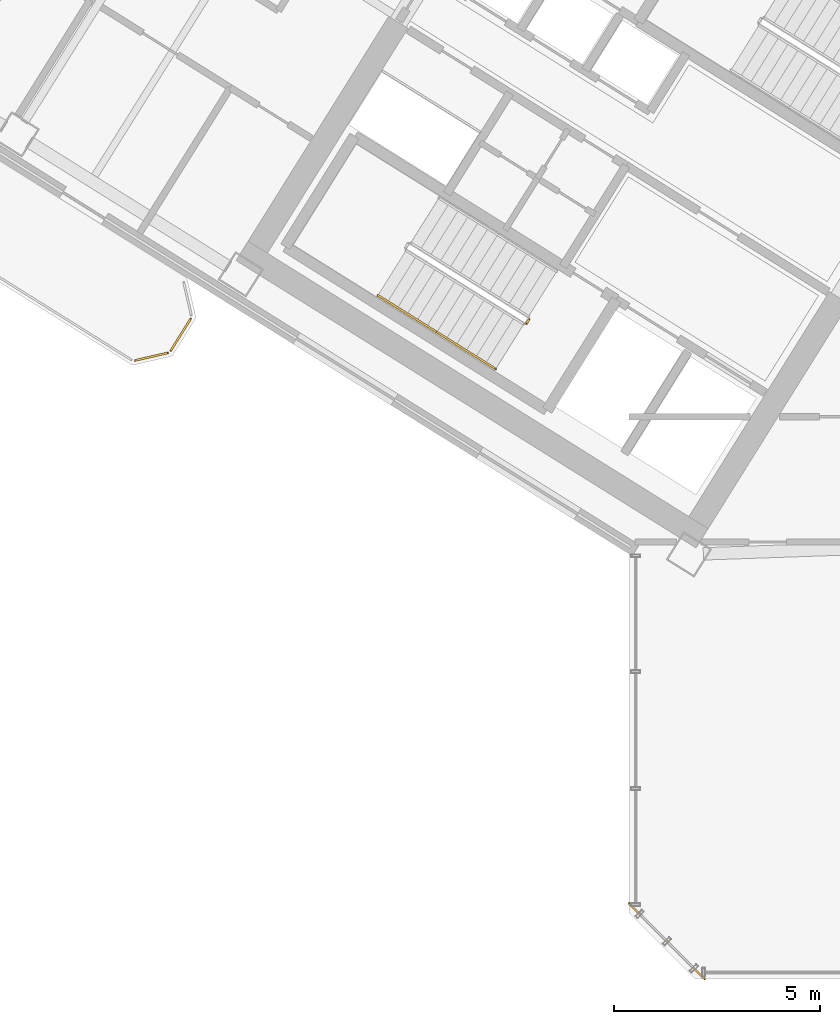
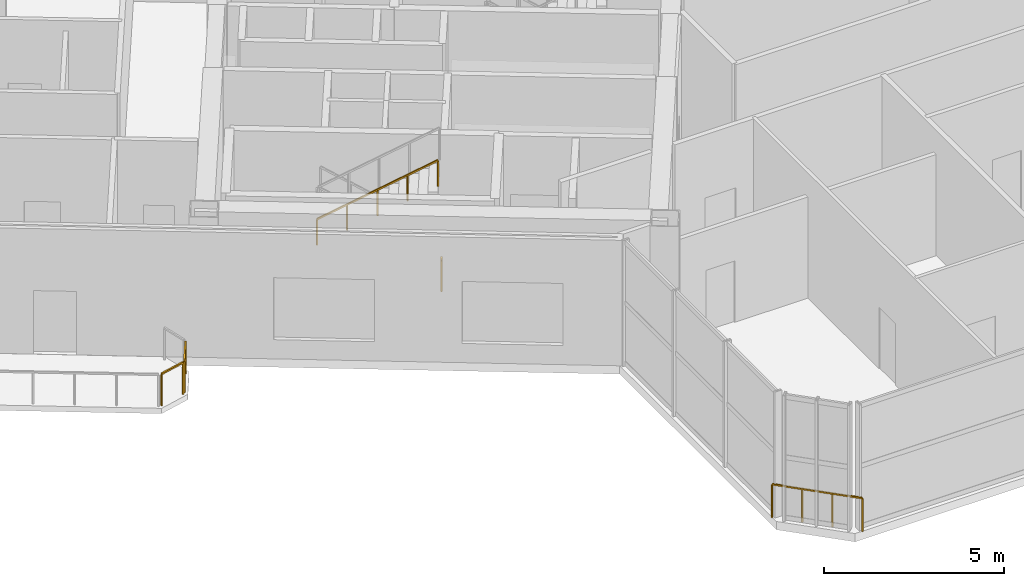
# One storey, part 17 of 21: 6 railings.
"""IFC4 building model written with IfcOpenShell, lengths in metres."""

from ifc_helpers import new_model, si_unit, direction, frame, origin, origin_2d, place, context, subcontext, project, spatial, rectangle, extrude, source, transform, mapped, material, type_object, element, save


model = new_model("IFC4")

# Units and contexts
model_context = context("Model", 3, precision=1e-05, world=origin(), true_north=direction((0.0, 1.0)))
body_context = subcontext(model_context, "Body", "Model", "MODEL_VIEW")
ifc_project = project(units=[si_unit("LENGTHUNIT", "METRE"), si_unit("AREAUNIT", "SQUARE_METRE"), si_unit("VOLUMEUNIT", "CUBIC_METRE"), si_unit("PLANEANGLEUNIT", "RADIAN"), si_unit("MASSUNIT", "GRAM", prefix="KILO")], contexts=[model_context])

# Site, building, storey
site_placement = place(None, origin())
site = spatial("IfcSite", under=ifc_project, at=site_placement, CompositionType="ELEMENT")
building_placement = place(site_placement, origin())
building = spatial("IfcBuilding", under=site, at=building_placement, Name="Tlacorven Tower", CompositionType="ELEMENT")
storey_placement = place(building_placement, frame((0.0, 0.0, 199.5)))
storey = spatial("IfcBuildingStorey", under=building, at=storey_placement, Name="L50", CompositionType="ELEMENT", Elevation=199.5)

# Railings
ifc_material = material(Name="Aluminium and painted steel balustrade", Category="steel")
railing_type_1 = type_object("IfcRailingType", Name="RL-BAL-1100", PredefinedType="BALUSTRADE", material=ifc_material)
shared_shape_1 = source(origin(), body_context, "Body", "SweptSolid", [
    extrude(rectangle(XDim=0.048095703125, YDim=0.048095703125, at=origin_2d()), frame((0.0, 0.0, 1.076171875), z_axis=(-0.52987865805, -0.848073468364, 0.0), x_axis=(0.848073468364, -0.52987865805, 0.0)), (0.0, 0.0, 1.0), 0.912353515625),
    extrude(rectangle(XDim=0.0419921875, YDim=0.0419921875, at=origin_2d()), origin(), (0.0, 0.0, 1.0), 1.052001953125),
    extrude(rectangle(XDim=0.0419921875, YDim=0.0419921875, at=origin_2d()), frame((-0.4833984375, -0.773681640625, 0.0)), (0.0, 0.0, 1.0), 1.052001953125),
])
railing_1_placement = place(storey_placement, frame((20.976318359375, 17.793701171875, 0.0)))
element("IfcRailing", 1, at=railing_1_placement, inside=storey, type_object=railing_type_1, Name="BAL-L50-W-OUT Guard Railing 2", PredefinedType="BALUSTRADE", context=body_context, shape_type="MappedRepresentation", body=[
    mapped(shared_shape_1, transform((0.0, 0.0, 0.0), scale=1.0)),
])
shared_shape_2 = source(origin(), body_context, "Body", "SweptSolid", [
    extrude(rectangle(XDim=0.048095703125, YDim=0.048095703125, at=origin_2d()), frame((0.0, 0.0, 1.076171875), z_axis=(-0.974345290916, -0.225058334816, 0.0), x_axis=(0.225058334816, -0.974345290916, 0.0)), (0.0, 0.0, 1.0), 0.80712890625),
    extrude(rectangle(XDim=0.0419921875, YDim=0.0419921875, at=origin_2d()), origin(), (0.0, 0.0, 1.0), 1.052001953125),
    extrude(rectangle(XDim=0.0419921875, YDim=0.0419921875, at=origin_2d()), frame((-0.786376953125, -0.181640625, 0.0)), (0.0, 0.0, 1.0), 1.052001953125),
])
railing_2_placement = place(storey_placement, frame((20.417724609375, 16.966552734375, 0.0)))
element("IfcRailing", 2, at=railing_2_placement, inside=storey, type_object=railing_type_1, Name="BAL-L50-W-OUT Guard Railing 3", PredefinedType="BALUSTRADE", context=body_context, shape_type="MappedRepresentation", body=[
    mapped(shared_shape_2, transform((0.0, 0.0, 0.0), scale=1.0)),
])
railing_type_2 = type_object("IfcRailingType", Name="RL-GRD-1150", PredefinedType="GUARDRAIL", material=ifc_material)
shared_shape_3 = source(origin(), body_context, "Body", "SweptSolid", [
    extrude(rectangle(XDim=0.048095703125, YDim=0.048095703125, at=origin_2d()), frame((0.0, 0.0, 1.1259765625), z_axis=(-0.707106781187, 0.707106781187, 0.0), x_axis=(-0.707106781187, -0.707106781187, 0.0)), (0.0, 0.0, 1.0), 2.590087890625),
    extrude(rectangle(XDim=0.0419921875, YDim=0.0419921875, at=origin_2d()), origin(), (0.0, 0.0, 1.0), 1.101806640625),
    extrude(rectangle(XDim=0.0419921875, YDim=0.0419921875, at=origin_2d()), frame((-0.610595703125, 0.610595703125, 0.0)), (0.0, 0.0, 1.0), 1.101806640625),
    extrude(rectangle(XDim=0.0419921875, YDim=0.0419921875, at=origin_2d()), frame((-1.220947265625, 1.220947265625, 0.0)), (0.0, 0.0, 1.0), 1.101806640625),
    extrude(rectangle(XDim=0.0419921875, YDim=0.0419921875, at=origin_2d()), frame((-1.83154296875, 1.83154296875, 0.0)), (0.0, 0.0, 1.0), 1.101806640625),
])
railing_3_placement = place(storey_placement, frame((33.428955078125, 1.79736328125, 0.0)))
element("IfcRailing", 3, at=railing_3_placement, inside=storey, type_object=railing_type_2, Name="L50 Knuckle Glazed Sill Guard 1", PredefinedType="GUARDRAIL", context=body_context, shape_type="MappedRepresentation", body=[
    mapped(shared_shape_3, transform((0.0, 0.0, 0.0), scale=1.0)),
])
railing_type_3 = type_object("IfcRailingType", Name="RL-GRD-1100", PredefinedType="GUARDRAIL", material=ifc_material)
shared_shape_4 = source(origin(), body_context, "Body", "SweptSolid", [
    extrude(rectangle(XDim=0.048095703125, YDim=0.048095703125, at=origin_2d()), frame((0.0, 0.0, 1.076171875), z_axis=(-0.529084052582, -0.848569422795, 0.0), x_axis=(0.848569422795, -0.529084052582, 0.0)), (0.0, 0.0, 1.0), 0.119873046875),
    extrude(rectangle(XDim=0.0419921875, YDim=0.0419921875, at=origin_2d()), origin(), (0.0, 0.0, 1.0), 1.052001953125),
    extrude(rectangle(XDim=0.0419921875, YDim=0.0419921875, at=origin_2d()), frame((-0.0634765625, -0.101806640625, 0.0)), (0.0, 0.0, 1.0), 1.052001953125),
])
railing_4_placement = place(storey_placement, frame((29.176513671875, 17.782958984375, 0.0)))
element("IfcRailing", 4, at=railing_4_placement, inside=storey, type_object=railing_type_3, Name="L50 ST-W1 stair guard 4", PredefinedType="GUARDRAIL", context=body_context, shape_type="MappedRepresentation", body=[
    mapped(shared_shape_4, transform((0.0, 0.0, 0.0), scale=1.0)),
])
railing_type_4 = type_object("IfcRailingType", Name="RL-HND-0900", PredefinedType="HANDRAIL", material=ifc_material)
shared_shape_5 = source(origin(), body_context, "Body", "SweptSolid", [
    extrude(rectangle(XDim=0.048095703125, YDim=0.048095703125, at=origin_2d()), frame((0.0, 0.0, 0.8759765625), z_axis=(0.721387654753, -0.450805479247, 0.525713107551), x_axis=(0.529946692594, 0.848030956397, 0.0)), (0.0, 0.0, 1.0), 1.97509765625),
    extrude(rectangle(XDim=0.0419921875, YDim=0.0419921875, at=origin_2d()), origin(), (0.0, 0.0, 1.0), 0.851806640625),
    extrude(rectangle(XDim=0.0419921875, YDim=0.0419921875, at=origin_2d()), frame((0.71240234375, -0.4453125, 0.51904296875)), (0.0, 0.0, 1.0), 0.851806640625),
    extrude(rectangle(XDim=0.0419921875, YDim=0.0419921875, at=origin_2d()), frame((1.4248046875, -0.890380859375, 1.038330078125)), (0.0, 0.0, 1.0), 0.851806640625),
])
railing_5_placement = place(storey_placement, frame((25.516357421875, 18.3603515625, 2.423095703125)))
element("IfcRailing", 5, at=railing_5_placement, inside=storey, type_object=railing_type_4, Name="L50 ST-W1 stair handrail 3", PredefinedType="HANDRAIL", context=body_context, shape_type="MappedRepresentation", body=[
    mapped(shared_shape_5, transform((0.0, 0.0, 0.0), scale=1.0)),
])
shared_shape_6 = source(origin(), body_context, "Body", "SweptSolid", [
    extrude(rectangle(XDim=0.048095703125, YDim=0.048095703125, at=origin_2d()), frame((0.0, 0.0, 0.8759765625), z_axis=(0.721321672373, -0.450717877887, 0.52587873081), x_axis=(0.529907487405, 0.848055455022, 0.0)), (0.0, 0.0, 1.0), 1.974853515625),
    extrude(rectangle(XDim=0.0419921875, YDim=0.0419921875, at=origin_2d()), origin(), (0.0, 0.0, 1.0), 0.851806640625),
    extrude(rectangle(XDim=0.0419921875, YDim=0.0419921875, at=origin_2d()), frame((0.71240234375, -0.445068359375, 0.519287109375)), (0.0, 0.0, 1.0), 0.851806640625),
    extrude(rectangle(XDim=0.0419921875, YDim=0.0419921875, at=origin_2d()), frame((1.424560546875, -0.89013671875, 1.03857421875)), (0.0, 0.0, 1.0), 0.851806640625),
])
railing_6_placement = place(storey_placement, frame((26.941162109375, 17.469970703125, 3.46142578125)))
element("IfcRailing", 6, at=railing_6_placement, inside=storey, type_object=railing_type_4, Name="L50 ST-W1 stair handrail 4", PredefinedType="HANDRAIL", context=body_context, shape_type="MappedRepresentation", body=[
    mapped(shared_shape_6, transform((0.0, 0.0, 0.0), scale=1.0)),
])

save(model, "model.ifc")
